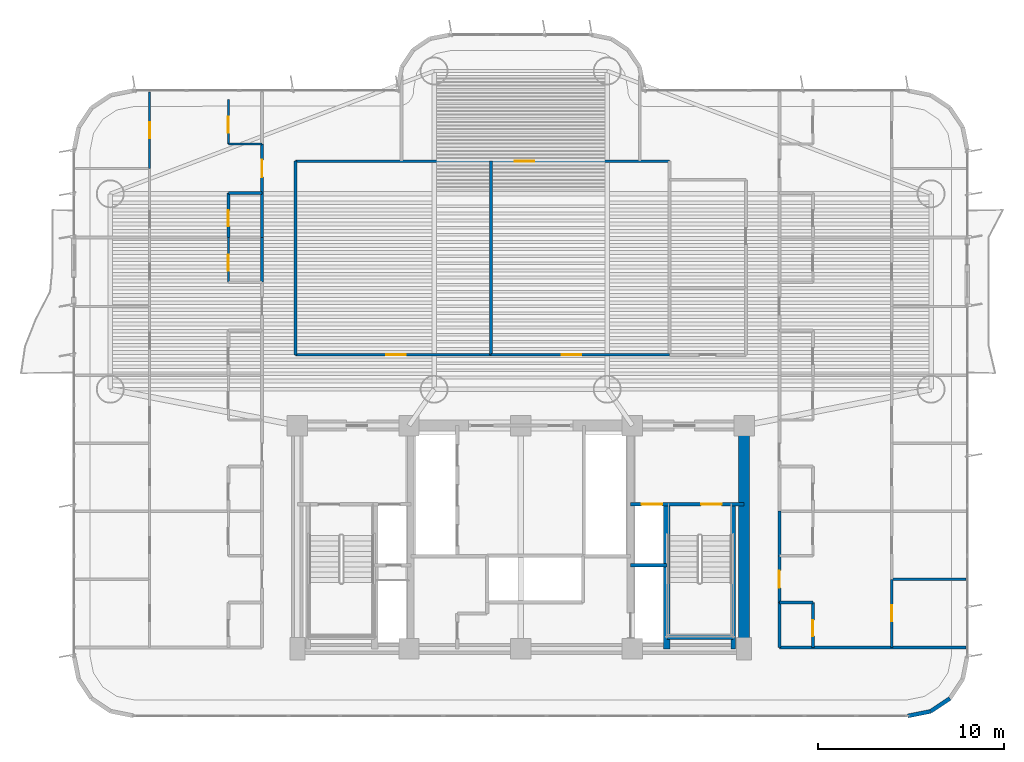
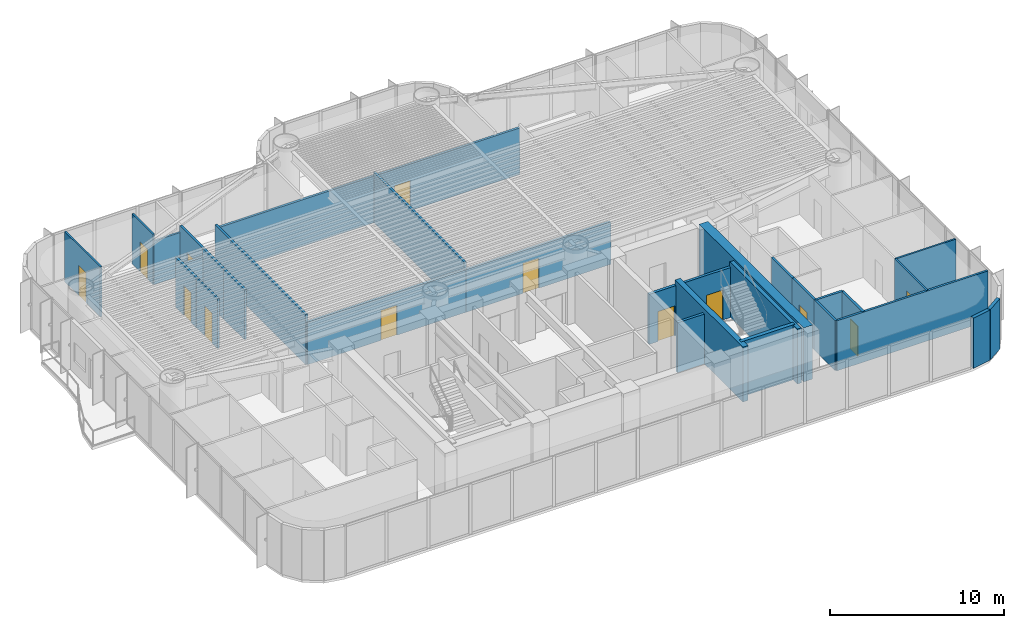
# One storey, part 12 of 19: 30 walls, 13 doors, 13 openings.
"""IFC4 building model written with IfcOpenShell, lengths in metres."""

from ifc_helpers import new_model, si_unit, direction, frame, frame_2d, origin, origin_2d, place, context, subcontext, project, spatial, rectangle, extrude, source, transform, mapped, material, layer, layer_set, type_object, element, fill, save


model = new_model("IFC4")

# Units and contexts
model_context = context("Model", 3, precision=1e-05, world=origin(), true_north=direction((0.0, 1.0)))
body_context = subcontext(model_context, "Body", "Model", "MODEL_VIEW")
ifc_project = project(units=[si_unit("LENGTHUNIT", "METRE"), si_unit("AREAUNIT", "SQUARE_METRE"), si_unit("VOLUMEUNIT", "CUBIC_METRE"), si_unit("PLANEANGLEUNIT", "RADIAN"), si_unit("MASSUNIT", "GRAM", prefix="KILO")], contexts=[model_context])

# Site, building, storey
site_placement = place(None, origin())
site = spatial("IfcSite", under=ifc_project, at=site_placement, CompositionType="ELEMENT")
building_placement = place(site_placement, origin())
building = spatial("IfcBuilding", under=site, at=building_placement, Name="Brelvock Crest Care Tower", CompositionType="ELEMENT")
storey_placement = place(building_placement, frame((0.0, 0.0, 30.780029296875)))
storey = spatial("IfcBuildingStorey", under=building, at=storey_placement, Name="L07", CompositionType="ELEMENT", Elevation=30.780029296875)

# Walls
ifc_material_1 = material(Name="Concrete S80 (80 MPa)", Category="concrete")
ifc_layer_1 = layer(ifc_material_1, 0.60009765625, Name="WL-CS1")
ifc_layer_set_1 = layer_set([ifc_layer_1], Name="Concrete S80 (80 MPa)")
wall_type_1 = type_object("IfcWallType", Name="WL-CS1", PredefinedType="SHEAR", material=ifc_layer_set_1)
wall_1_placement = place(storey_placement, frame((48.0, 18.0, 0.0), z_axis=(0.0, 0.0, 1.0), x_axis=(0.0, -1.0, 0.0)))
element("IfcWall", 1, at=wall_1_placement, inside=storey, type_object=wall_type_1, Name="L07 Core East Shear Wall", PredefinedType="SHEAR", context=body_context, shape_type="SweptSolid", body=[
    extrude(rectangle(XDim=12.0, YDim=0.60009765625, at=frame_2d((6.0, 0.0))), origin(), (0.0, 0.0, 1.0), 3.780029296875),
])
ifc_layer_2 = layer(ifc_material_1, 0.35009765625, Name="WL-CS5")
ifc_layer_set_2 = layer_set([ifc_layer_2], Name="Concrete S80 (80 MPa)")
wall_type_2 = type_object("IfcWallType", Name="WL-CS5", PredefinedType="SHEAR", material=ifc_layer_set_2)
wall_2_placement = place(storey_placement, frame((43.85009765625, 6.0, 0.0), z_axis=(0.0, 0.0, 1.0), x_axis=(0.0, 1.0, 0.0)))
element("IfcWall", 2, at=wall_2_placement, inside=storey, type_object=wall_type_2, Name="L07 Core Stair ST-2 West Shear Wall", PredefinedType="SHEAR", context=body_context, shape_type="SweptSolid", body=[
    extrude(rectangle(XDim=7.780029296875, YDim=0.35009765625, at=frame_2d((3.89013671875, 0.0))), origin(), (0.0, 0.0, 1.0), 3.849853515625),
])
ifc_layer_3 = layer(ifc_material_1, 0.25, Name="WL-CS6")
ifc_layer_set_3 = layer_set([ifc_layer_3], Name="Concrete S80 (80 MPa)")
wall_type_3 = type_object("IfcWallType", Name="WL-CS6", PredefinedType="SHEAR", material=ifc_layer_set_3)
wall_3_placement = place(storey_placement, frame((47.419921875, 6.0, 0.0), z_axis=(0.0, 0.0, 1.0), x_axis=(0.0, 1.0, 0.0)))
element("IfcWall", 3, at=wall_3_placement, inside=storey, type_object=wall_type_3, Name="L07 Core Stair ST-2 East Shear Wall", PredefinedType="SHEAR", context=body_context, shape_type="SweptSolid", body=[
    extrude(rectangle(XDim=7.780029296875, YDim=0.25, at=frame_2d((3.89013671875, 0.0))), origin(), (0.0, 0.0, 1.0), 3.849853515625),
])
wall_4_placement = place(storey_placement, frame((43.85009765625, 6.6201171875, 0.0), z_axis=(0.0, 0.0, 1.0), x_axis=(1.0, 0.0, 0.0)))
element("IfcWall", 4, at=wall_4_placement, inside=storey, type_object=wall_type_3, Name="L07 Core Stair ST-2 South Shear Wall", PredefinedType="SHEAR", context=body_context, shape_type="SweptSolid", body=[
    extrude(rectangle(XDim=3.56982421875, YDim=0.25, at=frame_2d((1.784912109375, 0.0))), origin(), (0.0, 0.0, 1.0), 3.849853515625),
])
ifc_material_2 = material(Name="Precast concrete N40 (40 MPa)", Category="concrete")
ifc_layer_4 = layer(ifc_material_2, 0.215087890625, Name="WL-EX2")
ifc_layer_set_4 = layer_set([ifc_layer_4], Name="Precast concrete N40 (40 MPa)")
wall_type_4 = type_object("IfcWallType", Name="WL-EX2", PredefinedType="SOLIDWALL", material=ifc_layer_set_4)
for number, where, z_axis, x_axis, name in (
    (5, (59.062744140625, 3.33740234375, 0.0), (0.0, 0.0, 1.0), (-0.831387912822, -0.555692485475, 0.0), "L07 Rounded Corner Wall 06"),
    (6, (58.024658203125, 2.6435546875, 0.0), (0.0, 0.0, 1.0), (-0.980775717779, -0.195138390419, 0.0), "L07 Rounded Corner Wall 07"),
):
    element("IfcWall", number, at=place(storey_placement, frame(where, z_axis=z_axis, x_axis=x_axis)), inside=storey, type_object=wall_type_4, Name=name, PredefinedType="SOLIDWALL", context=body_context, shape_type="SweptSolid", body=[
        extrude(rectangle(XDim=1.24853515625, YDim=0.215087890625, at=frame_2d((0.624267578125, 0.0))), origin(), (0.0, 0.0, 1.0), 3.530029296875),
    ])
ifc_material_3 = material(Name="Masonry Blockwork Acoustic Partition", Category="masonry")
ifc_layer_5 = layer(ifc_material_3, 0.14990234375, Name="WL-INT1")
ifc_layer_set_5 = layer_set([ifc_layer_5], Name="Masonry Blockwork Acoustic Partition")
wall_type_5 = type_object("IfcWallType", Name="WL-INT1", PredefinedType="PARTITIONING", material=ifc_layer_set_5)
wall_5_placement = place(storey_placement, frame((49.89990234375, 6.080078125, 0.0), z_axis=(0.0, 0.0, 1.0), x_axis=(1.0, 0.0, 0.0)))
element("IfcWall", 7, at=wall_5_placement, inside=storey, type_object=wall_type_5, Name="L07 Interior Wall WL-BX-L07-FL-EW1-S", PredefinedType="PARTITIONING", context=body_context, shape_type="SweptSolid", body=[
    extrude(rectangle(XDim=10.02001953125, YDim=0.14990234375, at=frame_2d((5.010009765625, 0.0))), origin(), (0.0, 0.0, 1.0), 3.5),
])

# Wall, opening, door
wall_6_placement = place(storey_placement, frame((23.89990234375, 21.800048828125, 0.0), z_axis=(0.0, 0.0, 1.0), x_axis=(1.0, 0.0, 0.0)))
wall_6 = element("IfcWall", 8, at=wall_6_placement, inside=storey, type_object=wall_type_5, Name="L07 Interior Wall WL-RM-L07-CNW", PredefinedType="PARTITIONING", context=body_context, shape_type="SweptSolid", body=[
    extrude(rectangle(XDim=10.5, YDim=0.14990234375, at=frame_2d((5.25, 0.0))), origin(), (0.0, 0.0, 1.0), 2.98193359375),
])
opening_1_placement = place(wall_6_placement, frame((4.875, 0.0, 0.0)))
opening_1 = element("IfcOpeningElement", 9, at=opening_1_placement, cuts=wall_6, Name="Opening CLD-1", PredefinedType="OPENING", context=body_context, shape_type="SweptSolid", body=[
    extrude(rectangle(XDim=1.050048828125, YDim=2.10009765625, at=origin_2d()), frame((0.52490234375, 0.0849609375, 1.050048828125), z_axis=(0.0, -1.0, 0.0), x_axis=(1.0, 0.0, 0.0)), (0.0, 0.0, 1.0), 0.169921875),
])
ifc_material_4 = material(Name="Engineered Hardwood Timber", Category="wood")
door_type_1 = type_object("IfcDoorType", Name="DR-CLN1", OperationType="NOTDEFINED", PredefinedType="DOOR", material=ifc_material_4)
shared_shape_1 = source(origin(), body_context, "Body", "SweptSolid", [
    extrude(rectangle(XDim=1.050048828125, YDim=2.10009765625, at=origin_2d()), frame((0.52490234375, 0.02490234375, 1.050048828125), z_axis=(0.0, -1.0, 0.0), x_axis=(1.0, 0.0, 0.0)), (0.0, 0.0, 1.0), 0.050048828125),
])
door_1_placement = place(opening_1_placement, origin())
door_1 = element("IfcDoor", 10, at=door_1_placement, inside=storey, type_object=door_type_1, Name="L07 Communal Dining Conservatory Door CNW", OperationType="SINGLE_SWING_LEFT", OverallHeight=2.10009765625, OverallWidth=1.050048828125, PredefinedType="DOOR", context=body_context, shape_type="MappedRepresentation", body=[
    mapped(shared_shape_1, transform((0.0, 0.0, 0.0), x_axis=(1.0, 0.0, 0.0), y_axis=(0.0, 1.0, 0.0), z_axis=(0.0, 0.0, 1.0), scale=1.0)),
])
fill(opening_1, door_1)

wall_7_placement = place(storey_placement, frame((34.39990234375, 21.800048828125, 0.0), z_axis=(0.0, 0.0, 1.0), x_axis=(1.0, 0.0, 0.0)))
wall_7 = element("IfcWall", 11, at=wall_7_placement, inside=storey, type_object=wall_type_5, Name="L07 Interior Wall WL-RM-L07-CNE", PredefinedType="PARTITIONING", context=body_context, shape_type="SweptSolid", body=[
    extrude(rectangle(XDim=9.60009765625, YDim=0.14990234375, at=frame_2d((4.800048828125, 0.0))), origin(), (0.0, 0.0, 1.0), 2.98193359375),
])
opening_2_placement = place(wall_7_placement, frame((3.794921875, 0.0, 0.0)))
opening_2 = element("IfcOpeningElement", 12, at=opening_2_placement, cuts=wall_7, Name="Opening CLD-1", PredefinedType="OPENING", context=body_context, shape_type="SweptSolid", body=[
    extrude(rectangle(XDim=1.050048828125, YDim=2.10009765625, at=origin_2d()), frame((0.52490234375, 0.0849609375, 1.050048828125), z_axis=(0.0, -1.0, 0.0), x_axis=(1.0, 0.0, 0.0)), (0.0, 0.0, 1.0), 0.169921875),
])
door_2_placement = place(opening_2_placement, origin())
door_2 = element("IfcDoor", 13, at=door_2_placement, inside=storey, type_object=door_type_1, Name="L07 Geriatric Nurse Consultation Hub Door CNE", OperationType="SINGLE_SWING_LEFT", OverallHeight=2.10009765625, OverallWidth=1.050048828125, PredefinedType="DOOR", context=body_context, shape_type="MappedRepresentation", body=[
    mapped(shared_shape_1, transform((0.0, 0.0, 0.0), x_axis=(1.0, 0.0, 0.0), y_axis=(0.0, 1.0, 0.0), z_axis=(0.0, 0.0, 1.0), scale=1.0)),
])
fill(opening_2, door_2)

wall_8_placement = place(storey_placement, frame((23.89990234375, 32.199951171875, 0.0), z_axis=(0.0, 0.0, 1.0), x_axis=(1.0, 0.0, 0.0)))
wall_8 = element("IfcWall", 14, at=wall_8_placement, inside=storey, type_object=wall_type_5, Name="L07 Interior Wall WL-RM-L07-NHUB", PredefinedType="PARTITIONING", context=body_context, shape_type="SweptSolid", body=[
    extrude(rectangle(XDim=20.10009765625, YDim=0.14990234375, at=frame_2d((10.050048828125, 0.0))), origin(), (0.0, 0.0, 1.0), 3.259033203125),
])
opening_3_placement = place(wall_8_placement, frame((11.77490234375, 0.0, 0.0)))
opening_3 = element("IfcOpeningElement", 15, at=opening_3_placement, cuts=wall_8, Name="Opening CLD-1", PredefinedType="OPENING", context=body_context, shape_type="SweptSolid", body=[
    extrude(rectangle(XDim=1.050048828125, YDim=2.10009765625, at=origin_2d()), frame((0.52490234375, 0.0849609375, 1.050048828125), z_axis=(0.0, -1.0, 0.0), x_axis=(1.0, 0.0, 0.0)), (0.0, 0.0, 1.0), 0.169921875),
])
door_3_placement = place(opening_3_placement, origin())
door_3 = element("IfcDoor", 16, at=door_3_placement, inside=storey, type_object=door_type_1, Name="L07 Harbour Wintergarden Lounge Door NHUB", OperationType="SINGLE_SWING_LEFT", OverallHeight=2.10009765625, OverallWidth=1.050048828125, PredefinedType="DOOR", context=body_context, shape_type="MappedRepresentation", body=[
    mapped(shared_shape_1, transform((0.0, 0.0, 0.0), x_axis=(1.0, 0.0, 0.0), y_axis=(0.0, 1.0, 0.0), z_axis=(0.0, 0.0, 1.0), scale=1.0)),
])
fill(opening_3, door_3)

# Wall
wall_9_placement = place(storey_placement, frame((22.10009765625, 25.699951171875, 0.0), z_axis=(0.0, 0.0, 1.0), x_axis=(0.0, 1.0, 0.0)))
element("IfcWall", 17, at=wall_9_placement, inside=storey, type_object=wall_type_5, Name="L07 Interior Wall WL-UCK-L07-WW3", PredefinedType="PARTITIONING", context=body_context, shape_type="SweptSolid", body=[
    extrude(rectangle(XDim=2.400146484375, YDim=0.14990234375, at=frame_2d((1.2001953125, 0.0))), origin(), (0.0, 0.0, 1.0), 3.5),
])

# Wall, opening, door
wall_10_placement = place(storey_placement, frame((22.10009765625, 30.5, 0.0), z_axis=(0.0, 0.0, 1.0), x_axis=(0.0, 1.0, 0.0)))
wall_10 = element("IfcWall", 18, at=wall_10_placement, inside=storey, type_object=wall_type_5, Name="L07 Interior Wall WL-UENT-L07-WW4", PredefinedType="PARTITIONING", context=body_context, shape_type="SweptSolid", body=[
    extrude(rectangle(XDim=2.6201171875, YDim=0.14990234375, at=frame_2d((1.31005859375, 0.0))), origin(), (0.0, 0.0, 1.0), 3.5),
])
opening_4_placement = place(wall_10_placement, frame((0.85009765625, 0.0, 0.0)))
opening_4 = element("IfcOpeningElement", 19, at=opening_4_placement, cuts=wall_10, Name="Opening AD-1", PredefinedType="OPENING", context=body_context, shape_type="SweptSolid", body=[
    extrude(rectangle(XDim=0.919921875, YDim=2.10009765625, at=origin_2d()), frame((0.4599609375, 0.0849609375, 1.050048828125), z_axis=(0.0, -1.0, 0.0), x_axis=(1.0, 0.0, 0.0)), (0.0, 0.0, 1.0), 0.169921875),
])
door_type_2 = type_object("IfcDoorType", Name="DR-APT1", OperationType="NOTDEFINED", PredefinedType="DOOR", material=ifc_material_4)
shared_shape_2 = source(origin(), body_context, "Body", "SweptSolid", [
    extrude(rectangle(XDim=0.919921875, YDim=2.10009765625, at=origin_2d()), frame((0.4599609375, 0.02490234375, 1.050048828125), z_axis=(0.0, -1.0, 0.0), x_axis=(1.0, 0.0, 0.0)), (0.0, 0.0, 1.0), 0.050048828125),
])
door_4_placement = place(opening_4_placement, origin())
door_4 = element("IfcDoor", 20, at=door_4_placement, inside=storey, type_object=door_type_2, Name="L07 Apartment Entrance WW4", OperationType="SINGLE_SWING_LEFT", OverallHeight=2.10009765625, OverallWidth=0.919921875, PredefinedType="DOOR", context=body_context, shape_type="MappedRepresentation", body=[
    mapped(shared_shape_2, transform((0.0, 0.0, 0.0), x_axis=(1.0, 0.0, 0.0), y_axis=(0.0, 1.0, 0.0), z_axis=(0.0, 0.0, 1.0), scale=1.0)),
])
fill(opening_4, door_4)

# Walls
for number, where, z_axis, x_axis, name in (
    (21, (23.89990234375, 21.800048828125, 0.0), (0.0, 0.0, 1.0), (0.0, 1.0, 0.0), "L07 Interior Wall WL-BX-L07-CNW-W"),
    (22, (34.39990234375, 21.800048828125, 0.0), (0.0, 0.0, 1.0), (0.0, 1.0, 0.0), "L07 Interior Wall WL-BX-L07-CNE-W"),
):
    element("IfcWall", number, at=place(storey_placement, frame(where, z_axis=z_axis, x_axis=x_axis)), inside=storey, type_object=wall_type_5, Name=name, PredefinedType="PARTITIONING", context=body_context, shape_type="SweptSolid", body=[
        extrude(rectangle(XDim=10.39990234375, YDim=0.14990234375, at=frame_2d((5.199951171875, 0.0))), origin(), (0.0, 0.0, 1.0), 3.5),
    ])

# Wall, opening, door
wall_11_placement = place(storey_placement, frame((49.89990234375, 8.47998046875, 0.0), z_axis=(0.0, 0.0, 1.0), x_axis=(0.0, 1.0, 0.0)))
wall_11 = element("IfcWall", 23, at=wall_11_placement, inside=storey, type_object=wall_type_5, Name="L07 Interior Wall WL-UENT-L07-EW1", PredefinedType="PARTITIONING", context=body_context, shape_type="SweptSolid", body=[
    extrude(rectangle(XDim=2.52001953125, YDim=0.14990234375, at=frame_2d((1.260009765625, 0.0))), origin(), (0.0, 0.0, 1.0), 3.5),
])
opening_5_placement = place(wall_11_placement, frame((0.800048828125, 0.0, 0.0)))
opening_5 = element("IfcOpeningElement", 24, at=opening_5_placement, cuts=wall_11, Name="Opening AD-1", PredefinedType="OPENING", context=body_context, shape_type="SweptSolid", body=[
    extrude(rectangle(XDim=0.919921875, YDim=2.10009765625, at=origin_2d()), frame((0.4599609375, 0.0849609375, 1.050048828125), z_axis=(0.0, -1.0, 0.0), x_axis=(1.0, 0.0, 0.0)), (0.0, 0.0, 1.0), 0.169921875),
])
door_5_placement = place(opening_5_placement, origin())
door_5 = element("IfcDoor", 25, at=door_5_placement, inside=storey, type_object=door_type_2, Name="L07 Apartment Entrance EW1", OperationType="SINGLE_SWING_LEFT", OverallHeight=2.10009765625, OverallWidth=0.919921875, PredefinedType="DOOR", context=body_context, shape_type="MappedRepresentation", body=[
    mapped(shared_shape_2, transform((0.0, 0.0, 0.0), x_axis=(1.0, 0.0, 0.0), y_axis=(0.0, 1.0, 0.0), z_axis=(0.0, 0.0, 1.0), scale=1.0)),
])
fill(opening_5, door_5)

# Walls
wall_12_placement = place(storey_placement, frame((49.89990234375, 11.0, 0.0), z_axis=(0.0, 0.0, 1.0), x_axis=(0.0, 1.0, 0.0)))
element("IfcWall", 26, at=wall_12_placement, inside=storey, type_object=wall_type_5, Name="L07 Interior Wall WL-UCK-L07-EW1", PredefinedType="PARTITIONING", context=body_context, shape_type="SweptSolid", body=[
    extrude(rectangle(XDim=2.39990234375, YDim=0.14990234375, at=frame_2d((1.199951171875, 0.0))), origin(), (0.0, 0.0, 1.0), 3.5),
])
ifc_material_5 = material(Name="Gypsum Plasterboard Partition", Category="gypsum")
ifc_layer_6 = layer(ifc_material_5, 0.1201171875, Name="WL-INT2")
ifc_layer_set_6 = layer_set([ifc_layer_6], Name="Gypsum Plasterboard Partition")
wall_type_6 = type_object("IfcWallType", Name="WL-INT2", PredefinedType="PARTITIONING", material=ifc_layer_set_6)
wall_13_placement = place(storey_placement, frame((55.93603515625, 9.739990234375, 0.0), z_axis=(0.0, 0.0, 1.0), x_axis=(1.0, 0.0, 0.0)))
element("IfcWall", 27, at=wall_13_placement, inside=storey, type_object=wall_type_6, Name="L07 Interior Wall WL-UBSP-L07-EW1", PredefinedType="PARTITIONING", context=body_context, shape_type="SweptSolid", body=[
    extrude(rectangle(XDim=3.98388671875, YDim=0.1201171875, at=frame_2d((1.991943359375, 0.0))), origin(), (0.0, 0.0, 1.0), 3.5),
])
wall_14_placement = place(storey_placement, frame((20.300048828125, 33.1201171875, 0.0), z_axis=(0.0, 0.0, 1.0), x_axis=(1.0, 0.0, 0.0)))
element("IfcWall", 28, at=wall_14_placement, inside=storey, type_object=wall_type_6, Name="L07 Interior Wall WL-UKIT2-L07-WW4", PredefinedType="PARTITIONING", context=body_context, shape_type="SweptSolid", body=[
    extrude(rectangle(XDim=1.800048828125, YDim=0.1201171875, at=frame_2d((0.89990234375, 0.0))), origin(), (0.0, 0.0, 1.0), 3.054931640625),
])

# Wall, opening, door
wall_15_placement = place(storey_placement, frame((16.06396484375, 31.81005859375, 0.0), z_axis=(0.0, 0.0, 1.0), x_axis=(0.0, 1.0, 0.0)))
wall_15 = element("IfcWall", 29, at=wall_15_placement, inside=storey, type_object=wall_type_6, Name="L07 Interior Wall WL-UBD2-L07-WW4", PredefinedType="PARTITIONING", context=body_context, shape_type="SweptSolid", body=[
    extrude(rectangle(XDim=4.110107421875, YDim=0.1201171875, at=frame_2d((2.05517578125, 0.0))), origin(), (0.0, 0.0, 1.0), 3.5),
])
opening_6_placement = place(wall_15_placement, frame((1.625, 0.0, 0.0)))
opening_6 = element("IfcOpeningElement", 30, at=opening_6_placement, cuts=wall_15, Name="Opening ID-1", PredefinedType="OPENING", context=body_context, shape_type="SweptSolid", body=[
    extrude(rectangle(XDim=0.860107421875, YDim=2.10009765625, at=origin_2d()), frame((0.43017578125, 0.070068359375, 1.050048828125), z_axis=(0.0, -1.0, 0.0), x_axis=(1.0, 0.0, 0.0)), (0.0, 0.0, 1.0), 0.14013671875),
])
door_type_3 = type_object("IfcDoorType", Name="DR-INT1", OperationType="NOTDEFINED", PredefinedType="DOOR", material=ifc_material_4)
shared_shape_3 = source(origin(), body_context, "Body", "SweptSolid", [
    extrude(rectangle(XDim=0.860107421875, YDim=2.10009765625, at=origin_2d()), frame((0.43017578125, 0.02490234375, 1.050048828125), z_axis=(0.0, -1.0, 0.0), x_axis=(1.0, 0.0, 0.0)), (0.0, 0.0, 1.0), 0.050048828125),
])
door_6_placement = place(opening_6_placement, origin())
door_6 = element("IfcDoor", 31, at=door_6_placement, inside=storey, type_object=door_type_3, Name="L07 Second Room Door WW4", OperationType="SINGLE_SWING_LEFT", OverallHeight=2.10009765625, OverallWidth=0.860107421875, PredefinedType="DOOR", context=body_context, shape_type="MappedRepresentation", body=[
    mapped(shared_shape_3, transform((0.0, 0.0, 0.0), x_axis=(1.0, 0.0, 0.0), y_axis=(0.0, 1.0, 0.0), z_axis=(0.0, 0.0, 1.0), scale=1.0)),
])
fill(opening_6, door_6)

wall_16_placement = place(storey_placement, frame((20.300048828125, 25.699951171875, 0.0), z_axis=(0.0, 0.0, 1.0), x_axis=(0.0, 1.0, 0.0)))
wall_16 = element("IfcWall", 32, at=wall_16_placement, inside=storey, type_object=wall_type_6, Name="L07 Interior Wall WL-UKIT1-L07-WW3", PredefinedType="PARTITIONING", context=body_context, shape_type="SweptSolid", body=[
    extrude(rectangle(XDim=2.400146484375, YDim=0.1201171875, at=frame_2d((1.2001953125, 0.0))), origin(), (0.0, 0.0, 1.0), 3.5),
])
opening_7_placement = place(wall_16_placement, frame((0.6201171875, 0.0, 0.0)))
opening_7 = element("IfcOpeningElement", 33, at=opening_7_placement, cuts=wall_16, Name="Opening ID-1", PredefinedType="OPENING", context=body_context, shape_type="SweptSolid", body=[
    extrude(rectangle(XDim=0.860107421875, YDim=2.10009765625, at=origin_2d()), frame((0.43017578125, 0.070068359375, 1.050048828125), z_axis=(0.0, -1.0, 0.0), x_axis=(1.0, 0.0, 0.0)), (0.0, 0.0, 1.0), 0.14013671875),
])
door_7_placement = place(opening_7_placement, origin())
door_7 = element("IfcDoor", 34, at=door_7_placement, inside=storey, type_object=door_type_3, Name="L07 Kitchen Door WW3", OperationType="SINGLE_SWING_LEFT", OverallHeight=2.10009765625, OverallWidth=0.860107421875, PredefinedType="DOOR", context=body_context, shape_type="MappedRepresentation", body=[
    mapped(shared_shape_3, transform((0.0, 0.0, 0.0), x_axis=(1.0, 0.0, 0.0), y_axis=(0.0, 1.0, 0.0), z_axis=(0.0, 0.0, 1.0), scale=1.0)),
])
fill(opening_7, door_7)

wall_17_placement = place(storey_placement, frame((20.300048828125, 33.1201171875, 0.0), z_axis=(0.0, 0.0, 1.0), x_axis=(0.0, 1.0, 0.0)))
wall_17 = element("IfcWall", 35, at=wall_17_placement, inside=storey, type_object=wall_type_6, Name="L07 Interior Wall WL-UKIT1-L07-WW4", PredefinedType="PARTITIONING", context=body_context, shape_type="SweptSolid", body=[
    extrude(rectangle(XDim=2.39990234375, YDim=0.1201171875, at=frame_2d((1.199951171875, 0.0))), origin(), (0.0, 0.0, 1.0), 3.5),
])
opening_8_placement = place(wall_17_placement, frame((0.6201171875, 0.0, 0.0)))
opening_8 = element("IfcOpeningElement", 36, at=opening_8_placement, cuts=wall_17, Name="Opening ID-1", PredefinedType="OPENING", context=body_context, shape_type="SweptSolid", body=[
    extrude(rectangle(XDim=0.860107421875, YDim=2.10009765625, at=origin_2d()), frame((0.43017578125, 0.070068359375, 1.050048828125), z_axis=(0.0, -1.0, 0.0), x_axis=(1.0, 0.0, 0.0)), (0.0, 0.0, 1.0), 0.14013671875),
])
door_8_placement = place(opening_8_placement, origin())
door_8 = element("IfcDoor", 37, at=door_8_placement, inside=storey, type_object=door_type_3, Name="L07 Kitchen Door WW4", OperationType="SINGLE_SWING_LEFT", OverallHeight=2.10009765625, OverallWidth=0.860107421875, PredefinedType="DOOR", context=body_context, shape_type="MappedRepresentation", body=[
    mapped(shared_shape_3, transform((0.0, 0.0, 0.0), x_axis=(1.0, 0.0, 0.0), y_axis=(0.0, 1.0, 0.0), z_axis=(0.0, 0.0, 1.0), scale=1.0)),
])
fill(opening_8, door_8)

wall_18_placement = place(storey_placement, frame((55.93603515625, 6.080078125, 0.0), z_axis=(0.0, 0.0, 1.0), x_axis=(0.0, 1.0, 0.0)))
wall_18 = element("IfcWall", 38, at=wall_18_placement, inside=storey, type_object=wall_type_6, Name="L07 Interior Wall WL-UBD1-L07-EW1", PredefinedType="PARTITIONING", context=body_context, shape_type="SweptSolid", body=[
    extrude(rectangle(XDim=3.659912109375, YDim=0.1201171875, at=frame_2d((1.830078125, 0.0))), origin(), (0.0, 0.0, 1.0), 3.5),
])
opening_9_placement = place(wall_18_placement, frame((1.39990234375, 0.0, 0.0)))
opening_9 = element("IfcOpeningElement", 39, at=opening_9_placement, cuts=wall_18, Name="Opening ID-1", PredefinedType="OPENING", context=body_context, shape_type="SweptSolid", body=[
    extrude(rectangle(XDim=0.860107421875, YDim=2.10009765625, at=origin_2d()), frame((0.43017578125, 0.070068359375, 1.050048828125), z_axis=(0.0, -1.0, 0.0), x_axis=(1.0, 0.0, 0.0)), (0.0, 0.0, 1.0), 0.14013671875),
])
door_9_placement = place(opening_9_placement, origin())
door_9 = element("IfcDoor", 40, at=door_9_placement, inside=storey, type_object=door_type_3, Name="L07 Primary Bedroom Door EW1", OperationType="SINGLE_SWING_RIGHT", OverallHeight=2.10009765625, OverallWidth=0.860107421875, PredefinedType="DOOR", context=body_context, shape_type="MappedRepresentation", body=[
    mapped(shared_shape_3, transform((0.0, 0.0, 0.0), x_axis=(1.0, 0.0, 0.0), y_axis=(0.0, 1.0, 0.0), z_axis=(0.0, 0.0, 1.0), scale=1.0)),
])
fill(opening_9, door_9)

# Walls
ifc_layer_7 = layer(ifc_material_5, 0.159912109375, Name="WL-PLM1")
ifc_layer_set_7 = layer_set([ifc_layer_7], Name="Gypsum Plasterboard Partition")
wall_type_7 = type_object("IfcWallType", Name="WL-PLM1", PredefinedType="PLUMBINGWALL", material=ifc_layer_set_7)
wall_19_placement = place(storey_placement, frame((49.89990234375, 8.47998046875, 0.0), z_axis=(0.0, 0.0, 1.0), x_axis=(1.0, 0.0, 0.0)))
element("IfcWall", 41, at=wall_19_placement, inside=storey, type_object=wall_type_7, Name="L07 Interior Wall WL-UBTH2-L07-EW1", PredefinedType="PLUMBINGWALL", context=body_context, shape_type="SweptSolid", body=[
    extrude(rectangle(XDim=1.800048828125, YDim=0.159912109375, at=frame_2d((0.89990234375, 0.0))), origin(), (0.0, 0.0, 1.0), 3.5),
])
wall_20_placement = place(storey_placement, frame((20.300048828125, 30.5, 0.0), z_axis=(0.0, 0.0, 1.0), x_axis=(1.0, 0.0, 0.0)))
element("IfcWall", 42, at=wall_20_placement, inside=storey, type_object=wall_type_7, Name="L07 Interior Wall WL-UBTH2-L07-WW4", PredefinedType="PLUMBINGWALL", context=body_context, shape_type="SweptSolid", body=[
    extrude(rectangle(XDim=1.800048828125, YDim=0.159912109375, at=frame_2d((0.89990234375, 0.0))), origin(), (0.0, 0.0, 1.0), 2.903076171875),
])

# Wall, opening, door
wall_21_placement = place(storey_placement, frame((20.300048828125, 28.10009765625, 0.0), z_axis=(0.0, 0.0, 1.0), x_axis=(0.0, 1.0, 0.0)))
wall_21 = element("IfcWall", 43, at=wall_21_placement, inside=storey, type_object=wall_type_7, Name="L07 Interior Wall WL-UBTH1-L07-WW4", PredefinedType="PLUMBINGWALL", context=body_context, shape_type="SweptSolid", body=[
    extrude(rectangle(XDim=2.39990234375, YDim=0.159912109375, at=frame_2d((1.199951171875, 0.0))), origin(), (0.0, 0.0, 1.0), 3.5),
])
opening_10_placement = place(wall_21_placement, frame((0.60009765625, 0.0, 0.0)))
opening_10 = element("IfcOpeningElement", 44, at=opening_10_placement, cuts=wall_21, Name="Opening WD-1", PredefinedType="OPENING", context=body_context, shape_type="SweptSolid", body=[
    extrude(rectangle(XDim=0.860107421875, YDim=2.10009765625, at=origin_2d()), frame((0.43017578125, 0.08984375, 1.050048828125), z_axis=(0.0, -1.0, 0.0), x_axis=(1.0, 0.0, 0.0)), (0.0, 0.0, 1.0), 0.179931640625),
])
door_type_4 = type_object("IfcDoorType", Name="DR-WC1", OperationType="NOTDEFINED", PredefinedType="DOOR", material=ifc_material_4)
shared_shape_4 = source(origin(), body_context, "Body", "SweptSolid", [
    extrude(rectangle(XDim=0.860107421875, YDim=2.10009765625, at=origin_2d()), frame((0.43017578125, 0.02490234375, 1.050048828125), z_axis=(0.0, -1.0, 0.0), x_axis=(1.0, 0.0, 0.0)), (0.0, 0.0, 1.0), 0.050048828125),
])
door_10_placement = place(opening_10_placement, origin())
door_10 = element("IfcDoor", 45, at=door_10_placement, inside=storey, type_object=door_type_4, Name="L07 Bathroom Door WW4", OperationType="SINGLE_SWING_LEFT", OverallHeight=2.10009765625, OverallWidth=0.860107421875, PredefinedType="DOOR", context=body_context, shape_type="MappedRepresentation", body=[
    mapped(shared_shape_4, transform((0.0, 0.0, 0.0), x_axis=(1.0, 0.0, 0.0), y_axis=(0.0, 1.0, 0.0), z_axis=(0.0, 0.0, 1.0), scale=1.0)),
])
fill(opening_10, door_10)

# Walls
for number, where, z_axis, x_axis, name in (
    (46, (22.10009765625, 28.10009765625, 0.0), (0.0, 0.0, 1.0), (0.0, 1.0, 0.0), "L07 Interior Wall WL-UCB-L07-WW4"),
    (47, (49.89990234375, 6.080078125, 0.0), (0.0, 0.0, 1.0), (0.0, 1.0, 0.0), "L07 Interior Wall WL-UCB-L07-EW1"),
):
    element("IfcWall", number, at=place(storey_placement, frame(where, z_axis=z_axis, x_axis=x_axis)), inside=storey, type_object=wall_type_7, Name=name, PredefinedType="PLUMBINGWALL", context=body_context, shape_type="SweptSolid", body=[
        extrude(rectangle(XDim=2.39990234375, YDim=0.159912109375, at=frame_2d((1.199951171875, 0.0))), origin(), (0.0, 0.0, 1.0), 3.5),
    ])

# Wall, opening, door
wall_22_placement = place(storey_placement, frame((51.699951171875, 6.080078125, 0.0), z_axis=(0.0, 0.0, 1.0), x_axis=(0.0, 1.0, 0.0)))
wall_22 = element("IfcWall", 48, at=wall_22_placement, inside=storey, type_object=wall_type_7, Name="L07 Interior Wall WL-UBTH1-L07-EW1", PredefinedType="PLUMBINGWALL", context=body_context, shape_type="SweptSolid", body=[
    extrude(rectangle(XDim=2.39990234375, YDim=0.159912109375, at=frame_2d((1.199951171875, 0.0))), origin(), (0.0, 0.0, 1.0), 3.5),
])
opening_11_placement = place(wall_22_placement, frame((0.60009765625, 0.0, 0.0)))
opening_11 = element("IfcOpeningElement", 49, at=opening_11_placement, cuts=wall_22, Name="Opening WD-1", PredefinedType="OPENING", context=body_context, shape_type="SweptSolid", body=[
    extrude(rectangle(XDim=0.860107421875, YDim=2.10009765625, at=origin_2d()), frame((0.43017578125, 0.08984375, 1.050048828125), z_axis=(0.0, -1.0, 0.0), x_axis=(1.0, 0.0, 0.0)), (0.0, 0.0, 1.0), 0.179931640625),
])
door_11_placement = place(opening_11_placement, origin())
door_11 = element("IfcDoor", 50, at=door_11_placement, inside=storey, type_object=door_type_4, Name="L07 Bathroom Door EW1", OperationType="SINGLE_SWING_LEFT", OverallHeight=2.10009765625, OverallWidth=0.860107421875, PredefinedType="DOOR", context=body_context, shape_type="MappedRepresentation", body=[
    mapped(shared_shape_4, transform((0.0, 0.0, 0.0), x_axis=(1.0, 0.0, 0.0), y_axis=(0.0, 1.0, 0.0), z_axis=(0.0, 0.0, 1.0), scale=1.0)),
])
fill(opening_11, door_11)

# Wall, openings, doors
ifc_layer_8 = layer(ifc_material_3, 0.179931640625, Name="WL-SHF1")
ifc_layer_set_8 = layer_set([ifc_layer_8], Name="Masonry Blockwork Acoustic Partition")
wall_type_8 = type_object("IfcWallType", Name="WL-SHF1", PredefinedType="PARTITIONING", material=ifc_layer_set_8)
wall_23_placement = place(storey_placement, frame((41.89990234375, 13.780029296875, 0.0), z_axis=(0.0, 0.0, 1.0), x_axis=(1.0, 0.0, 0.0)))
wall_23 = element("IfcWall", 51, at=wall_23_placement, inside=storey, type_object=wall_type_8, Name="L07 Interior Wall WL-ST2-N-L07", PredefinedType="PARTITIONING", context=body_context, shape_type="SweptSolid", body=[
    extrude(rectangle(XDim=6.10009765625, YDim=0.179931640625, at=frame_2d((3.050048828125, 0.0))), origin(), (0.0, 0.0, 1.0), 3.5),
])
opening_12_placement = place(wall_23_placement, frame((0.60009765625, 0.0, 0.0)))
opening_12 = element("IfcOpeningElement", 52, at=opening_12_placement, cuts=wall_23, Name="Opening LD", PredefinedType="OPENING", context=body_context, shape_type="SweptSolid", body=[
    extrude(rectangle(XDim=1.10009765625, YDim=2.10009765625, at=origin_2d()), frame((0.550048828125, 0.10009765625, 1.050048828125), z_axis=(0.0, -1.0, 0.0), x_axis=(1.0, 0.0, 0.0)), (0.0, 0.0, 1.0), 0.199951171875),
])
opening_13_placement = place(wall_23_placement, frame((3.800048828125, 0.0, 0.0)))
opening_13 = element("IfcOpeningElement", 53, at=opening_13_placement, cuts=wall_23, Name="Opening SD-1", PredefinedType="OPENING", context=body_context, shape_type="SweptSolid", body=[
    extrude(rectangle(XDim=1.10009765625, YDim=2.10009765625, at=origin_2d()), frame((0.550048828125, 0.10009765625, 1.050048828125), z_axis=(0.0, -1.0, 0.0), x_axis=(1.0, 0.0, 0.0)), (0.0, 0.0, 1.0), 0.199951171875),
])
ifc_material_6 = material(Name="Steel Grade 350", Category="steel")
door_type_5 = type_object("IfcDoorType", Name="DR-ST1", OperationType="NOTDEFINED", PredefinedType="DOOR", material=ifc_material_6)
shared_shape_5 = source(origin(), body_context, "Body", "SweptSolid", [
    extrude(rectangle(XDim=1.10009765625, YDim=2.10009765625, at=origin_2d()), frame((0.550048828125, 0.02490234375, 1.050048828125), z_axis=(0.0, -1.0, 0.0), x_axis=(1.0, 0.0, 0.0)), (0.0, 0.0, 1.0), 0.050048828125),
])
door_12_placement = place(opening_13_placement, origin())
door_12 = element("IfcDoor", 54, at=door_12_placement, inside=storey, type_object=door_type_5, Name="L07 Fire Stair ST-2 Door", OperationType="SINGLE_SWING_RIGHT", OverallHeight=2.10009765625, OverallWidth=1.10009765625, PredefinedType="DOOR", context=body_context, shape_type="MappedRepresentation", body=[
    mapped(shared_shape_5, transform((0.0, 0.0, 0.0), x_axis=(1.0, 0.0, 0.0), y_axis=(0.0, 1.0, 0.0), z_axis=(0.0, 0.0, 1.0), scale=1.0)),
])
fill(opening_13, door_12)
door_type_6 = type_object("IfcDoorType", Name="DR-LD1", OperationType="NOTDEFINED", PredefinedType="DOOR", material=ifc_material_6)
shared_shape_6 = source(origin(), body_context, "Body", "SweptSolid", [
    extrude(rectangle(XDim=1.10009765625, YDim=2.10009765625, at=origin_2d()), frame((0.550048828125, 0.02490234375, 1.050048828125), z_axis=(0.0, -1.0, 0.0), x_axis=(1.0, 0.0, 0.0)), (0.0, 0.0, 1.0), 0.050048828125),
])
door_13_placement = place(opening_12_placement, origin())
door_13 = element("IfcDoor", 55, at=door_13_placement, inside=storey, type_object=door_type_6, Name="L07 Firefighting Lift FFL-2 Landing Door", OperationType="SLIDING_TO_RIGHT", OverallHeight=2.10009765625, OverallWidth=1.10009765625, PredefinedType="DOOR", context=body_context, shape_type="MappedRepresentation", body=[
    mapped(shared_shape_6, transform((0.0, 0.0, 0.0), x_axis=(1.0, 0.0, 0.0), y_axis=(0.0, 1.0, 0.0), z_axis=(0.0, 0.0, 1.0), scale=1.0)),
])
fill(opening_12, door_13)

# Wall
wall_24_placement = place(storey_placement, frame((41.89990234375, 10.5, 0.0), z_axis=(0.0, 0.0, 1.0), x_axis=(1.0, 0.0, 0.0)))
element("IfcWall", 56, at=wall_24_placement, inside=storey, type_object=wall_type_8, Name="L07 Interior Wall WL-FFH2-S-L07", PredefinedType="PARTITIONING", context=body_context, shape_type="SweptSolid", body=[
    extrude(rectangle(XDim=1.9501953125, YDim=0.179931640625, at=frame_2d((0.97509765625, 0.0))), origin(), (0.0, 0.0, 1.0), 3.5),
])

save(model, "model.ifc")
